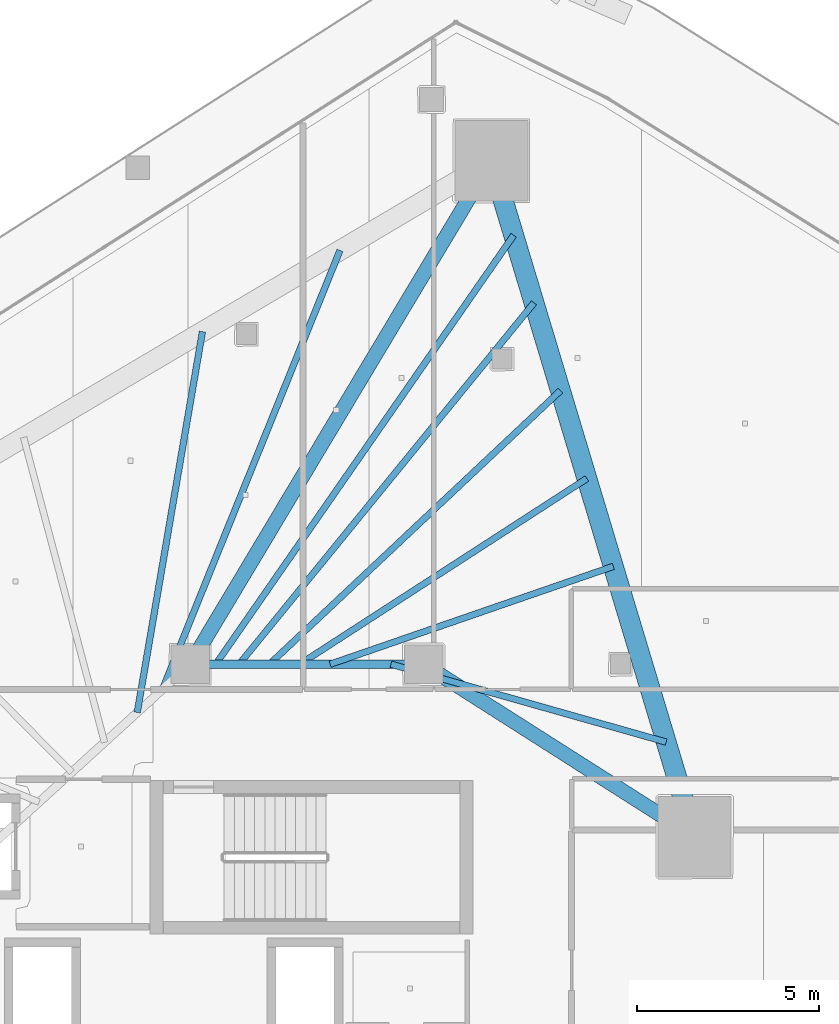
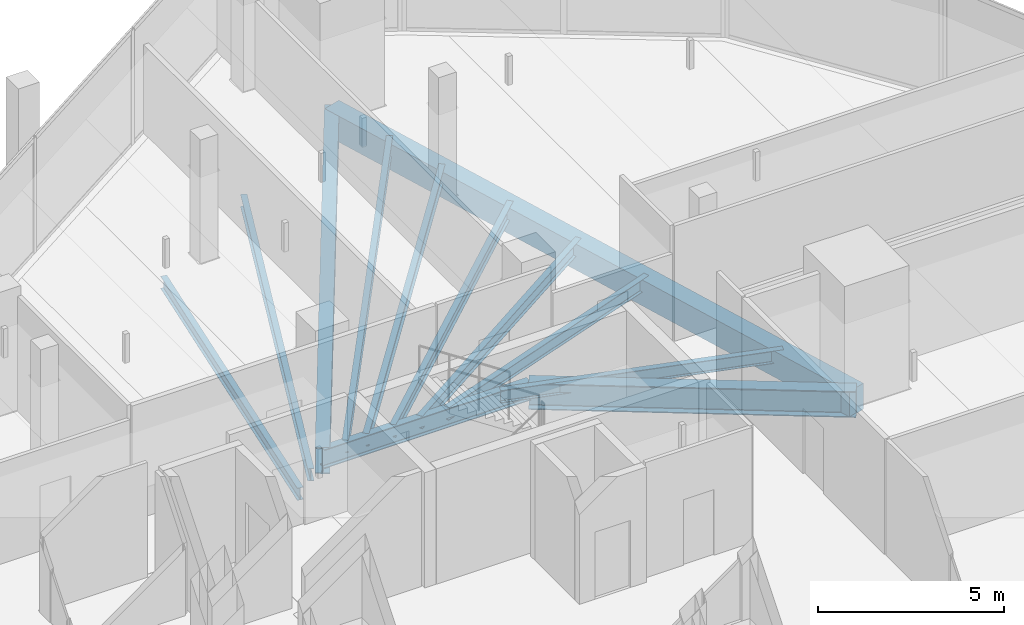
# One storey, part 18 of 35: 12 beams.
"""IFC4 building model written with IfcOpenShell, lengths in metres."""

from ifc_helpers import new_model, si_unit, direction, frame, origin, origin_2d, place, context, subcontext, project, spatial, rectangle, i_section, extrude, material, material_profile, profile_set, type_object, element, save


model = new_model("IFC4")

# Units and contexts
model_context = context("Model", 3, precision=1e-05, world=origin(), true_north=direction((0.0, 1.0)))
body_context = subcontext(model_context, "Body", "Model", "MODEL_VIEW")
ifc_project = project(units=[si_unit("LENGTHUNIT", "METRE"), si_unit("AREAUNIT", "SQUARE_METRE"), si_unit("VOLUMEUNIT", "CUBIC_METRE"), si_unit("PLANEANGLEUNIT", "RADIAN"), si_unit("MASSUNIT", "GRAM", prefix="KILO")], contexts=[model_context])

# Site, building, storey
site_placement = place(None, origin())
site = spatial("IfcSite", under=ifc_project, at=site_placement, CompositionType="ELEMENT")
building_placement = place(site_placement, origin())
building = spatial("IfcBuilding", under=site, at=building_placement, Name="Qorvath Tower", CompositionType="ELEMENT")
storey_placement = place(building_placement, frame((0.0, 0.0, 166.5)))
storey = spatial("IfcBuildingStorey", under=building, at=storey_placement, Name="L38", CompositionType="ELEMENT", Elevation=166.5)

# Beams
ifc_material_1 = material(Name="Steel ASTM A992 Grade 50", Category="steel")
ifc_material_profile_1 = material_profile(ifc_material_1, i_section(OverallWidth=0.39892578125, OverallDepth=0.85498046875, WebThickness=0.018310546875, FlangeThickness=0.029296875, FilletRadius=0.02001953125, at=origin_2d()), Name="W33x201")
ifc_profile_set_1 = profile_set([ifc_material_profile_1], Name="Steel ASTM A992 Grade 50")
beam_type_1 = type_object("IfcBeamType", Name="BM-FG2", PredefinedType="BEAM", material=ifc_profile_set_1)
beam_1_placement = place(storey_placement, frame((-23.60009765625, 11.449951171875, -0.697509765625), z_axis=(0.513497213955, 0.85809126045, 0.0), x_axis=(-0.85809126045, 0.513497213955, 0.0)))
element("IfcBeam", 1, at=beam_1_placement, inside=storey, type_object=beam_type_1, Name="Radial Floor Girder CC1-MC6 L38", PredefinedType="BEAM", context=body_context, shape_type="SweptSolid", body=[
    extrude(i_section(OverallWidth=0.39892578125, OverallDepth=0.85498046875, WebThickness=0.018310546875, FlangeThickness=0.029296875, FilletRadius=0.02001953125, at=origin_2d()), origin(), (0.0, 0.0, 1.0), 16.07763671875),
])
beam_2_placement = place(storey_placement, frame((-17.199951171875, 11.449951171875, -0.697509765625), z_axis=(0.843634090834, -0.536918542037, 0.0), x_axis=(0.536918542037, 0.843634090834, 0.0)))
element("IfcBeam", 2, at=beam_2_placement, inside=storey, type_object=beam_type_1, Name="Radial Floor Girder CC2-MC5 L38", PredefinedType="BEAM", context=body_context, shape_type="SweptSolid", body=[
    extrude(i_section(OverallWidth=0.39892578125, OverallDepth=0.85498046875, WebThickness=0.018310546875, FlangeThickness=0.029296875, FilletRadius=0.02001953125, at=origin_2d()), origin(), (0.0, 0.0, 1.0), 8.806884765625),
])
ifc_material_2 = material(Name="Steel ASTM A992 Grade 50", Category="steel")
ifc_material_profile_2 = material_profile(ifc_material_2, i_section(OverallWidth=0.22998046875, OverallDepth=0.616943359375, WebThickness=0.01318359375, FlangeThickness=0.022216796875, FilletRadius=0.014892578125, at=origin_2d()), Name="W24x94")
ifc_profile_set_2 = profile_set([ifc_material_profile_2], Name="Steel ASTM A992 Grade 50")
beam_type_2 = type_object("IfcBeamType", Name="BM-FG6", PredefinedType="BEAM", material=ifc_profile_set_2)
beam_3_placement = place(storey_placement, frame((-23.60009765625, 11.449951171875, -0.57861328125), z_axis=(1.0, 0.0, 0.0), x_axis=(0.0, 1.0, 0.0)))
element("IfcBeam", 3, at=beam_3_placement, inside=storey, type_object=beam_type_2, Name="Core Ring Girder CC1-CC2 L38", PredefinedType="BEAM", context=body_context, shape_type="SweptSolid", body=[
    extrude(i_section(OverallWidth=0.22998046875, OverallDepth=0.616943359375, WebThickness=0.01318359375, FlangeThickness=0.022216796875, FilletRadius=0.014892578125, at=origin_2d()), origin(), (0.0, 0.0, 1.0), 6.400146484375),
])
ifc_material_3 = material(Name="Steel ASTM A992 Grade 50", Category="steel")
ifc_material_profile_3 = material_profile(ifc_material_3, i_section(OverallWidth=0.177978515625, OverallDepth=0.406005859375, WebThickness=0.0078125, FlangeThickness=0.0126953125, FilletRadius=0.010986328125, at=origin_2d()), Name="W16x40")
ifc_profile_set_3 = profile_set([ifc_material_profile_3], Name="Steel ASTM A992 Grade 50")
beam_type_3 = type_object("IfcBeamType", Name="BM-FJ3", PredefinedType="JOIST", material=ifc_profile_set_3)
beam_4_placement = place(storey_placement, frame((-18.095947265625, 11.449951171875, -0.472900390625), z_axis=(0.962222206221, -0.272265359264, 0.0), x_axis=(0.272265359264, 0.962222206221, 0.0)))
element("IfcBeam", 4, at=beam_4_placement, inside=storey, type_object=beam_type_3, Name="Composite Floor Joist NE1 L38", PredefinedType="JOIST", context=body_context, shape_type="SweptSolid", body=[
    extrude(i_section(OverallWidth=0.177978515625, OverallDepth=0.406005859375, WebThickness=0.0078125, FlangeThickness=0.0126953125, FilletRadius=0.010986328125, at=origin_2d()), origin(), (0.0, 0.0, 1.0), 7.841552734375),
])
beam_5_placement = place(storey_placement, frame((-19.760009765625, 11.449951171875, -0.472900390625), z_axis=(0.945168345309, 0.326583525342, 0.0), x_axis=(-0.326583525342, 0.945168345309, 0.0)))
element("IfcBeam", 5, at=beam_5_placement, inside=storey, type_object=beam_type_3, Name="Composite Floor Joist NE3 L38", PredefinedType="JOIST", context=body_context, shape_type="SweptSolid", body=[
    extrude(i_section(OverallWidth=0.177978515625, OverallDepth=0.406005859375, WebThickness=0.0078125, FlangeThickness=0.0126953125, FilletRadius=0.010986328125, at=origin_2d()), origin(), (0.0, 0.0, 1.0), 8.21044921875),
])
beam_6_placement = place(storey_placement, frame((-20.592041015625, 11.449951171875, -0.472900390625), z_axis=(0.839630966809, 0.543157288062, 0.0), x_axis=(-0.543157288062, 0.839630966809, 0.0)))
element("IfcBeam", 6, at=beam_6_placement, inside=storey, type_object=beam_type_3, Name="Composite Floor Joist NE4 L38", PredefinedType="JOIST", context=body_context, shape_type="SweptSolid", body=[
    extrude(i_section(OverallWidth=0.177978515625, OverallDepth=0.406005859375, WebThickness=0.0078125, FlangeThickness=0.0126953125, FilletRadius=0.010986328125, at=origin_2d()), origin(), (0.0, 0.0, 1.0), 9.370361328125),
])
beam_7_placement = place(storey_placement, frame((-21.424072265625, 11.449951171875, -0.472900390625), z_axis=(0.728572459091, 0.684968737866, 0.0), x_axis=(-0.684968737866, 0.728572459091, 0.0)))
element("IfcBeam", 7, at=beam_7_placement, inside=storey, type_object=beam_type_3, Name="Composite Floor Joist NE5 L38", PredefinedType="JOIST", context=body_context, shape_type="SweptSolid", body=[
    extrude(i_section(OverallWidth=0.177978515625, OverallDepth=0.406005859375, WebThickness=0.0078125, FlangeThickness=0.0126953125, FilletRadius=0.010986328125, at=origin_2d()), origin(), (0.0, 0.0, 1.0), 10.9462890625),
])
beam_8_placement = place(storey_placement, frame((-22.256103515625, 11.449951171875, -0.472900390625), z_axis=(0.632187975212, 0.774815051478, 0.0), x_axis=(-0.774815051478, 0.632187975212, 0.0)))
element("IfcBeam", 8, at=beam_8_placement, inside=storey, type_object=beam_type_3, Name="Composite Floor Joist NE6 L38", PredefinedType="JOIST", context=body_context, shape_type="SweptSolid", body=[
    extrude(i_section(OverallWidth=0.177978515625, OverallDepth=0.406005859375, WebThickness=0.0078125, FlangeThickness=0.0126953125, FilletRadius=0.010986328125, at=origin_2d()), origin(), (0.0, 0.0, 1.0), 12.784912109375),
])
beam_9_placement = place(storey_placement, frame((-22.89599609375, 11.449951171875, -0.472900390625), z_axis=(0.570366725248, 0.821390162304, 0.0), x_axis=(-0.821390162304, 0.570366725248, 0.0)))
element("IfcBeam", 9, at=beam_9_placement, inside=storey, type_object=beam_type_3, Name="Composite Floor Joist NE7 L38", PredefinedType="JOIST", context=body_context, shape_type="SweptSolid", body=[
    extrude(i_section(OverallWidth=0.177978515625, OverallDepth=0.406005859375, WebThickness=0.0078125, FlangeThickness=0.0126953125, FilletRadius=0.010986328125, at=origin_2d()), origin(), (0.0, 0.0, 1.0), 14.3154296875),
])
beam_10_placement = place(storey_placement, frame((-25.049072265625, 10.126953125, -0.472900390625), z_axis=(0.168745594245, 0.985659639238, 0.0), x_axis=(-0.985659639238, 0.168745594245, 0.0)))
element("IfcBeam", 10, at=beam_10_placement, inside=storey, type_object=beam_type_3, Name="Composite Floor Joist NW6 L38", PredefinedType="JOIST", context=body_context, shape_type="SweptSolid", body=[
    extrude(i_section(OverallWidth=0.177978515625, OverallDepth=0.406005859375, WebThickness=0.0078125, FlangeThickness=0.0126953125, FilletRadius=0.010986328125, at=origin_2d()), origin(), (0.0, 0.0, 1.0), 10.589111328125),
])
beam_11_placement = place(storey_placement, frame((-24.35888671875, 10.757080078125, -0.472900390625), z_axis=(0.37487652097, 0.927074751045, 0.0), x_axis=(-0.927074751045, 0.37487652097, 0.0)))
element("IfcBeam", 11, at=beam_11_placement, inside=storey, type_object=beam_type_3, Name="Composite Floor Joist NW7 L38", PredefinedType="JOIST", context=body_context, shape_type="SweptSolid", body=[
    extrude(i_section(OverallWidth=0.177978515625, OverallDepth=0.406005859375, WebThickness=0.0078125, FlangeThickness=0.0126953125, FilletRadius=0.010986328125, at=origin_2d()), origin(), (0.0, 0.0, 1.0), 12.9833984375),
])
ifc_material_4 = material(Name="Concrete C50/60", Category="concrete")
ifc_material_profile_4 = material_profile(ifc_material_4, rectangle(XDim=0.550048828125, YDim=0.85009765625, at=origin_2d()), Name="RCB 850x550")
ifc_profile_set_4 = profile_set([ifc_material_profile_4], Name="Concrete C50/60")
beam_type_4 = type_object("IfcBeamType", Name="BM-RCB2", PredefinedType="SPANDREL", material=ifc_profile_set_4)
beam_12_placement = place(storey_placement, frame((-9.770263671875, 6.721435546875, -0.695068359375), z_axis=(-0.288133952099, 0.957590113591, 0.0), x_axis=(-0.957590113591, -0.288133952099, 0.0)))
element("IfcBeam", 12, at=beam_12_placement, inside=storey, type_object=beam_type_4, Name="Perimeter Loggia Frame Beam MC5-MC6 L38", PredefinedType="SPANDREL", context=body_context, shape_type="SweptSolid", body=[
    extrude(rectangle(XDim=0.550048828125, YDim=0.85009765625, at=origin_2d()), origin(), (0.0, 0.0, 1.0), 19.344970703125),
])

save(model, "model.ifc")
